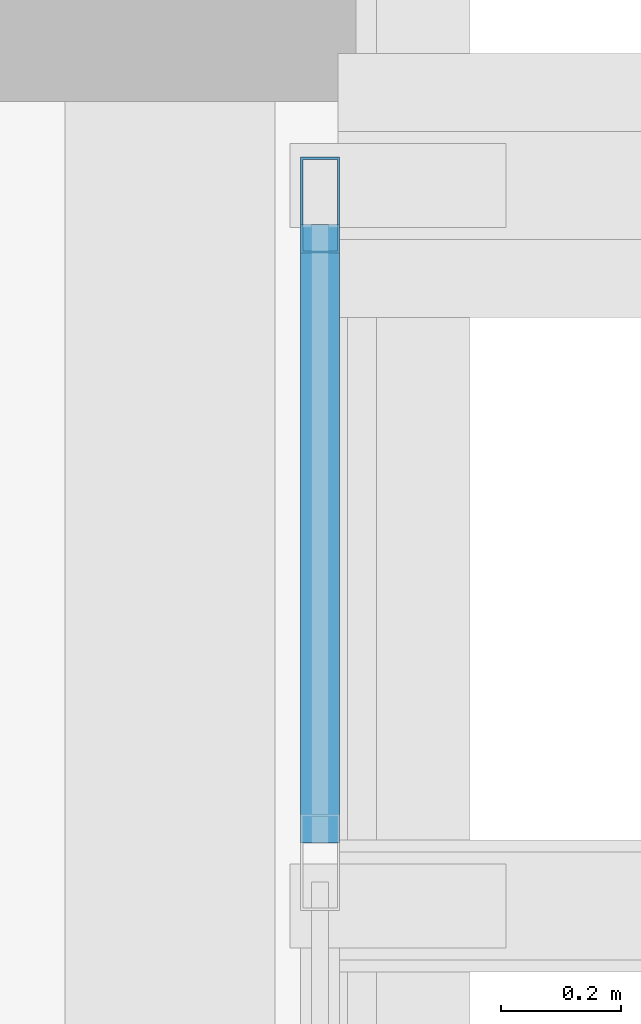
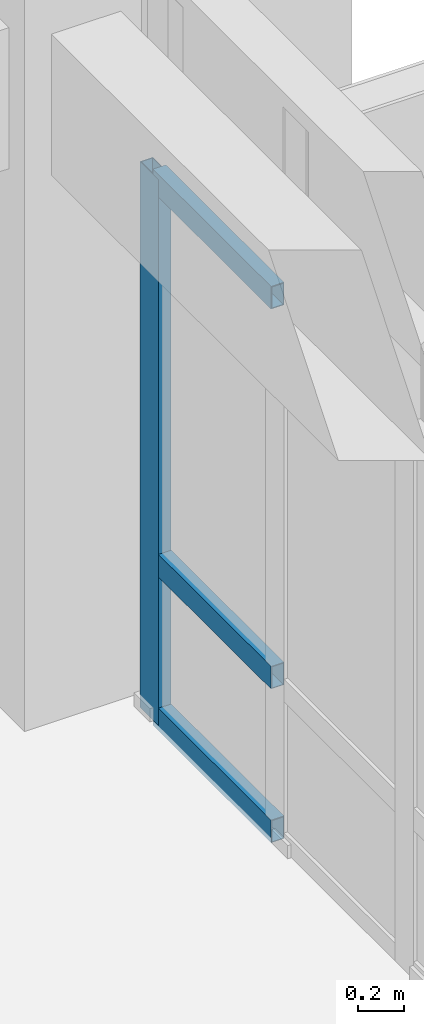
# One storey, part 38 of 50: 4 members, 1 element without a shape of its own.
"""IFC4 building model written with IfcOpenShell, lengths in metres."""

from ifc_helpers import new_model, si_unit, direction, frame, origin, origin_2d, place, context, subcontext, project, spatial, hollow_rectangle, extrude, material, layer, layer_set, material_profile, profile_set, type_object, element, aggregate, save


model = new_model("IFC4")

# Units and contexts
model_context = context("Model", 3, precision=1e-05, world=origin(), true_north=direction((0.0, 1.0)))
body_context = subcontext(model_context, "Body", "Model", "MODEL_VIEW")
ifc_project = project(units=[si_unit("LENGTHUNIT", "METRE"), si_unit("AREAUNIT", "SQUARE_METRE"), si_unit("VOLUMEUNIT", "CUBIC_METRE"), si_unit("PLANEANGLEUNIT", "RADIAN"), si_unit("MASSUNIT", "GRAM", prefix="KILO")], contexts=[model_context])

# Site, building, storey
site_placement = place(None, origin())
site = spatial("IfcSite", under=ifc_project, at=site_placement, CompositionType="ELEMENT")
building_placement = place(site_placement, origin())
building = spatial("IfcBuilding", under=site, at=building_placement, Name="Nakhvara Creek Congress Hotel", CompositionType="ELEMENT")
storey_placement = place(building_placement, frame((0.0, 0.0, 42.60009765625)))
storey = spatial("IfcBuildingStorey", under=building, at=storey_placement, Name="L10", CompositionType="ELEMENT", Elevation=42.60009765625)

# Curtain wall, members
ifc_material_1 = material(Name="Bronze-anodised aluminium AW-6063-T6 and double-silver low-E glass", Category="aluminium")
ifc_layer = layer(ifc_material_1, 0.199951171875)
ifc_layer_set = layer_set([ifc_layer], Name="Bronze-anodised aluminium AW-6063-T6 and double-silver low-E glass")
curtain_wall_type = type_object("IfcCurtainWallType", Name="CW-HTL-UNIT", PredefinedType="USERDEFINED", material=ifc_layer_set)
curtain_wall_placement = place(storey_placement, origin())
curtain_wall = element("IfcCurtainWall", 1, at=curtain_wall_placement, inside=storey, type_object=curtain_wall_type, Name="Curtain Wall CW330", ObjectType="UNITISED", PredefinedType="USERDEFINED")
ifc_material_2 = material(Name="Bronze-anodised aluminium AW-6063-T6", Category="aluminium")
ifc_material_profile_1 = material_profile(ifc_material_2, hollow_rectangle(XDim=0.06494140625, YDim=0.159912109375, WallThickness=0.00390625, at=origin_2d()), Name="ALU-MULL 65x160x4", Category="LoadBearing")
ifc_profile_set_1 = profile_set([ifc_material_profile_1], Name="Bronze-anodised aluminium AW-6063-T6")
member_type_1 = type_object("IfcMemberType", Name="CW-MULL-160", PredefinedType="MULLION", material=ifc_profile_set_1)
member_1_placement = place(storey_placement, frame((179.60009765625, 124.767578125, 0.0), z_axis=(0.0, 0.0, 1.0), x_axis=(1.0, 0.0, 0.0)))
member_1 = element("IfcMember", 2, at=member_1_placement, type_object=member_type_1, Name="CW330 mullion 1", PredefinedType="MULLION", context=body_context, shape_type="SweptSolid", body=[
    extrude(hollow_rectangle(XDim=0.06494140625, YDim=0.159912109375, WallThickness=0.00390625, at=origin_2d()), origin(), (0.0, 0.0, 1.0), 2.90185546875),
])
ifc_material_profile_2 = material_profile(ifc_material_2, hollow_rectangle(XDim=0.06494140625, YDim=0.1201171875, WallThickness=0.00390625, at=origin_2d()), Name="ALU-TRAN 65x120x4", Category="LoadBearing")
ifc_profile_set_2 = profile_set([ifc_material_profile_2], Name="Bronze-anodised aluminium AW-6063-T6")
member_type_2 = type_object("IfcMemberType", Name="CW-TRAN-120", PredefinedType="USERDEFINED", material=ifc_profile_set_2)
member_2_placement = place(storey_placement, frame((179.60009765625, 124.735107421875, 0.032470703125), z_axis=(0.0, -1.0, 0.0), x_axis=(1.0, 0.0, 0.0)))
member_2 = element("IfcMember", 3, at=member_2_placement, type_object=member_type_2, Name="CW330 transom 1.1", ObjectType="TRANSOM", PredefinedType="USERDEFINED", context=body_context, shape_type="SweptSolid", body=[
    extrude(hollow_rectangle(XDim=0.06494140625, YDim=0.1201171875, WallThickness=0.00390625, at=origin_2d()), origin(), (0.0, 0.0, 1.0), 1.030029296875),
])
member_3_placement = place(storey_placement, frame((179.60009765625, 124.735107421875, 0.849853515625), z_axis=(0.0, -1.0, 0.0), x_axis=(1.0, 0.0, 0.0)))
member_3 = element("IfcMember", 4, at=member_3_placement, type_object=member_type_2, Name="CW330 transom 1.2", ObjectType="TRANSOM", PredefinedType="USERDEFINED", context=body_context, shape_type="SweptSolid", body=[
    extrude(hollow_rectangle(XDim=0.06494140625, YDim=0.1201171875, WallThickness=0.00390625, at=origin_2d()), origin(), (0.0, 0.0, 1.0), 1.030029296875),
])
member_4_placement = place(storey_placement, frame((179.60009765625, 124.735107421875, 2.869384765625), z_axis=(0.0, -1.0, 0.0), x_axis=(1.0, 0.0, 0.0)))
member_4 = element("IfcMember", 5, at=member_4_placement, type_object=member_type_2, Name="CW330 transom 1.3", ObjectType="TRANSOM", PredefinedType="USERDEFINED", context=body_context, shape_type="SweptSolid", body=[
    extrude(hollow_rectangle(XDim=0.06494140625, YDim=0.1201171875, WallThickness=0.00390625, at=origin_2d()), origin(), (0.0, 0.0, 1.0), 1.030029296875),
])
aggregate(curtain_wall, [member_1, member_2, member_3, member_4])

save(model, "model.ifc")
